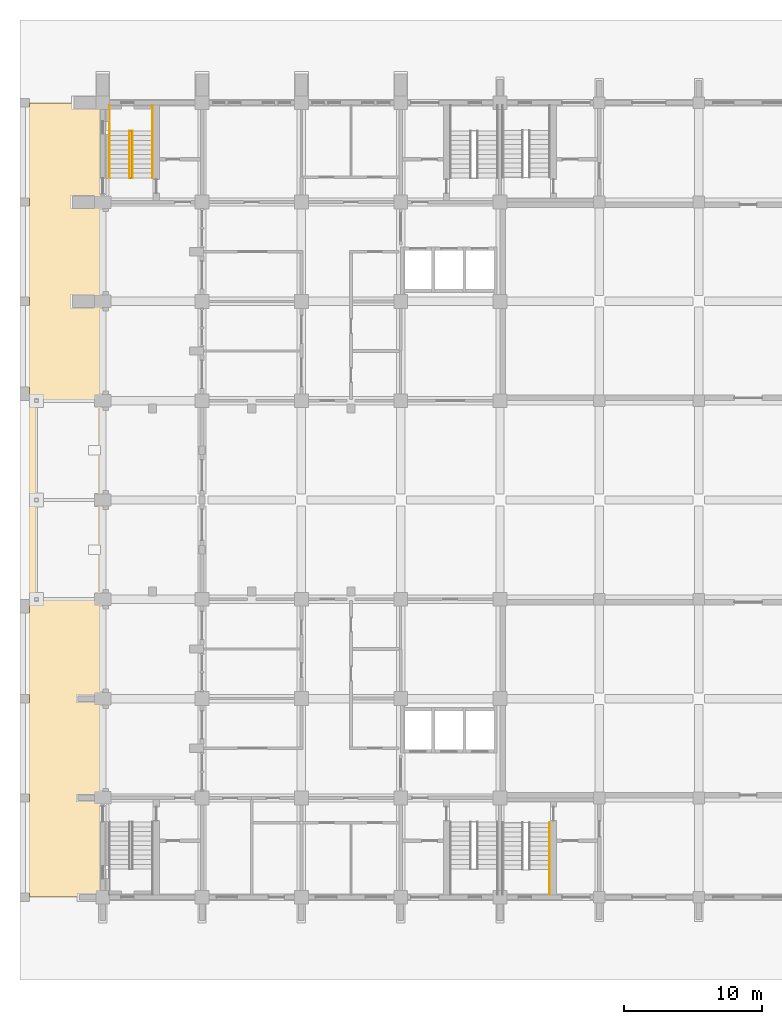
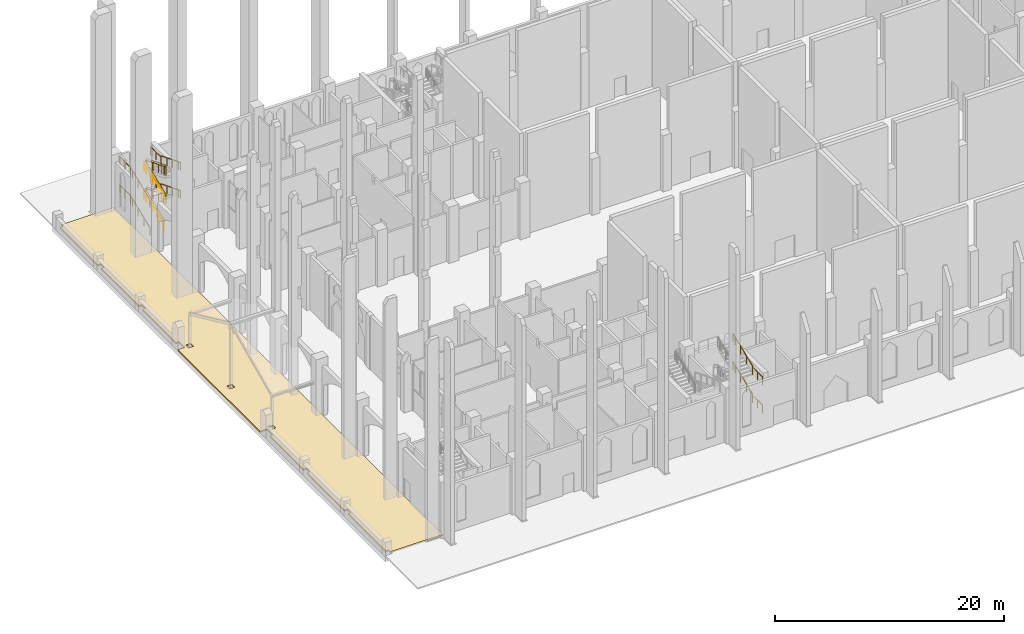
# One storey, part 45 of 50: 11 railings, 1 covering.
"""IFC4 building model written with IfcOpenShell, lengths in metres."""

from ifc_helpers import new_model, si_unit, direction, frame, origin, origin_2d, place, context, subcontext, project, spatial, polyline, circle, outline, extrude, material, layer, layer_set, type_object, element, save


model = new_model("IFC4")

# Units and contexts
model_context = context("Model", 3, precision=1e-05, world=origin(), true_north=direction((0.0, 1.0)))
body_context = subcontext(model_context, "Body", "Model", "MODEL_VIEW")
ifc_project = project(units=[si_unit("LENGTHUNIT", "METRE"), si_unit("AREAUNIT", "SQUARE_METRE"), si_unit("VOLUMEUNIT", "CUBIC_METRE"), si_unit("PLANEANGLEUNIT", "RADIAN"), si_unit("MASSUNIT", "GRAM", prefix="KILO")], contexts=[model_context])

# Site, building, storey
site_placement = place(None, origin())
site = spatial("IfcSite", under=ifc_project, at=site_placement, CompositionType="ELEMENT")
building_placement = place(site_placement, origin())
building = spatial("IfcBuilding", under=site, at=building_placement, Name="Silangan Lancet Faculty of Sciences", CompositionType="ELEMENT")
storey_placement = place(building_placement, origin())
storey = spatial("IfcBuildingStorey", under=building, at=storey_placement, Name="L00", CompositionType="ELEMENT", Elevation=0.0)

# Covering
ifc_material_1 = material(Name="Concrete C30/37", Category="concrete")
ifc_layer = layer(ifc_material_1, 0.14990234375)
ifc_layer_set = layer_set([ifc_layer], Name="Concrete C30/37")
covering_type = type_object("IfcCoveringType", Name="PAVING 150", PredefinedType="FLOORING", material=ifc_layer_set)
covering_placement = place(storey_placement, frame((0.0, 0.0, -0.14990234375)))
element("IfcCovering", 1, at=covering_placement, inside=storey, type_object=covering_type, Name="Paving Forecourt", PredefinedType="FLOORING", context=body_context, shape_type="SweptSolid", body=[
    extrude(outline(polyline([(0.0, 57.60009765625), (-5.300048828125, 57.60009765625), (-5.300048828125, 57.300048828125), (-5.60009765625, 57.300048828125), (-5.60009765625, 50.699951171875), (-5.300048828125, 50.699951171875), (-5.300048828125, 50.10009765625), (-5.60009765625, 50.10009765625), (-5.60009765625, 43.5), (-5.300048828125, 43.5), (-5.300048828125, 42.89990234375), (-5.60009765625, 42.89990234375), (-5.60009765625, 37.0), (-5.300048828125, 37.0), (-5.300048828125, 36.0), (-6.0, 36.0), (-6.0, 21.60009765625), (-5.300048828125, 21.60009765625), (-5.300048828125, 20.60009765625), (-5.60009765625, 20.60009765625), (-5.60009765625, 14.699951171875), (-5.300048828125, 14.699951171875), (-5.300048828125, 14.10009765625), (-5.60009765625, 14.10009765625), (-5.60009765625, 7.5), (-5.300048828125, 7.5), (-5.300048828125, 6.89990234375), (-5.60009765625, 6.89990234375), (-5.60009765625, 0.300048828125), (-5.300048828125, 0.300048828125), (-5.300048828125, 0.0), (0.0, 0.0), (0.0, 57.60009765625)]), holes=[polyline([(-4.550048828125, 21.35009765625), (-5.050048828125, 21.35009765625), (-5.050048828125, 21.85009765625), (-4.550048828125, 21.85009765625), (-4.550048828125, 21.35009765625)]), polyline([(-4.550048828125, 28.550048828125), (-5.050048828125, 28.550048828125), (-5.050048828125, 29.050048828125), (-4.550048828125, 29.050048828125), (-4.550048828125, 28.550048828125)]), polyline([(-4.550048828125, 35.75), (-5.050048828125, 35.75), (-5.050048828125, 36.25), (-4.550048828125, 36.25), (-4.550048828125, 35.75)])]), origin(), (0.0, 0.0, 1.0), 0.14990234375),
])

# Railings
ifc_material_2 = material(Name="Steel balustrade", Category="steel")
railing_type_1 = type_object("IfcRailingType", Name="STAIR GUARD 1100", PredefinedType="GUARDRAIL", material=ifc_material_2)
railing_1_placement = place(storey_placement, frame((2.0, 52.14990234375, 0.136474609375)))
element("IfcRailing", 2, at=railing_1_placement, inside=storey, type_object=railing_type_1, Name="GUARD-NT-A-L00", PredefinedType="GUARDRAIL", context=body_context, shape_type="SweptSolid", body=[
    extrude(circle(Radius=0.02392578125, at=origin_2d()), frame((0.0, 0.0, 1.076171875), z_axis=(0.0, 0.928154623156, 0.372194835421), x_axis=(-1.0, 0.0, 0.0)), (0.0, 0.0, 1.0), 1.46533203125),
    extrude(circle(Radius=0.02392578125, at=origin_2d()), frame((0.0, 1.360107421875, 1.62158203125), z_axis=(0.0, 0.928154623156, 0.372194835421), x_axis=(-1.0, 0.0, 0.0)), (0.0, 0.0, 1.0), 1.46533203125),
    extrude(circle(Radius=0.02392578125, at=origin_2d()), frame((0.0, 2.72021484375, 2.1669921875), z_axis=(0.0, 0.928131538224, 0.372252397916), x_axis=(-1.0, 0.0, 0.0)), (0.0, 0.0, 1.0), 0.732666015625),
    extrude(circle(Radius=0.02392578125, at=origin_2d()), frame((0.0, 3.400146484375, 2.439453125), z_axis=(1.0, 0.0, 0.0), x_axis=(0.0, 1.0, 0.0)), (0.0, 0.0, 1.0), 0.10009765625),
    extrude(circle(Radius=0.02392578125, at=origin_2d()), frame((0.10009765625, 3.400146484375, 2.439453125), z_axis=(0.0, 0.0, 1.0), x_axis=(1.0, 0.0, 0.0)), (0.0, 0.0, 1.0), 0.136474609375),
    extrude(circle(Radius=0.02392578125, at=origin_2d()), frame((0.10009765625, 3.400146484375, 2.576171875), z_axis=(0.0, -0.928154623156, 0.372194835421), x_axis=(1.0, 0.0, 0.0)), (0.0, 0.0, 1.0), 1.46533203125),
    extrude(circle(Radius=0.02392578125, at=origin_2d()), frame((0.10009765625, 2.0400390625, 3.12158203125), z_axis=(0.0, -0.928131538224, 0.372252397916), x_axis=(1.0, 0.0, 0.0)), (0.0, 0.0, 1.0), 1.465087890625),
    extrude(circle(Radius=0.02392578125, at=origin_2d()), frame((0.10009765625, 0.68017578125, 3.6669921875), z_axis=(0.0, -0.928177697381, 0.372137289295), x_axis=(1.0, 0.0, 0.0)), (0.0, 0.0, 1.0), 0.73291015625),
    extrude(circle(Radius=0.02392578125, at=origin_2d()), frame((0.10009765625, 0.0, 3.939453125), z_axis=(-1.0, 0.0, 0.0), x_axis=(0.0, -1.0, 0.0)), (0.0, 0.0, 1.0), 0.10009765625),
    extrude(circle(Radius=0.02392578125, at=origin_2d()), frame((0.0, 0.0, 3.939453125), z_axis=(0.0, 0.0, 1.0), x_axis=(1.0, 0.0, 0.0)), (0.0, 0.0, 1.0), 0.136474609375),
    extrude(circle(Radius=0.02392578125, at=origin_2d()), frame((0.0, 0.0, 4.076171875), z_axis=(0.0, 0.928154623156, 0.372194835421), x_axis=(-1.0, 0.0, 0.0)), (0.0, 0.0, 1.0), 1.46533203125),
    extrude(circle(Radius=0.02392578125, at=origin_2d()), frame((0.0, 1.360107421875, 4.62158203125), z_axis=(0.0, 0.928154623156, 0.372194835421), x_axis=(-1.0, 0.0, 0.0)), (0.0, 0.0, 1.0), 1.46533203125),
    extrude(circle(Radius=0.02392578125, at=origin_2d()), frame((0.0, 2.72021484375, 5.1669921875), z_axis=(0.0, 0.928131538224, 0.372252397916), x_axis=(-1.0, 0.0, 0.0)), (0.0, 0.0, 1.0), 0.732666015625),
    extrude(circle(Radius=0.02392578125, at=origin_2d()), frame((0.0, 3.400146484375, 5.439453125), z_axis=(1.0, 0.0, 0.0), x_axis=(0.0, 1.0, 0.0)), (0.0, 0.0, 1.0), 0.10009765625),
    extrude(circle(Radius=0.02392578125, at=origin_2d()), frame((0.10009765625, 3.400146484375, 5.439453125), z_axis=(0.0, 0.0, 1.0), x_axis=(1.0, 0.0, 0.0)), (0.0, 0.0, 1.0), 0.136474609375),
    extrude(circle(Radius=0.02392578125, at=origin_2d()), frame((0.10009765625, 3.400146484375, 5.576171875), z_axis=(0.0, -0.928154623156, 0.372194835421), x_axis=(1.0, 0.0, 0.0)), (0.0, 0.0, 1.0), 1.46533203125),
    extrude(circle(Radius=0.02392578125, at=origin_2d()), frame((0.10009765625, 2.0400390625, 6.12158203125), z_axis=(0.0, -0.928131538224, 0.372252397916), x_axis=(1.0, 0.0, 0.0)), (0.0, 0.0, 1.0), 1.465087890625),
    extrude(circle(Radius=0.02392578125, at=origin_2d()), frame((0.10009765625, 0.68017578125, 6.6669921875), z_axis=(0.0, -0.928177697381, 0.372137289295), x_axis=(1.0, 0.0, 0.0)), (0.0, 0.0, 1.0), 0.73291015625),
    extrude(circle(Radius=0.02392578125, at=origin_2d()), frame((0.10009765625, 0.0, 6.939453125), z_axis=(-1.0, 0.0, 0.0), x_axis=(0.0, -1.0, 0.0)), (0.0, 0.0, 1.0), 0.10009765625),
    extrude(circle(Radius=0.02099609375, at=origin_2d()), origin(), (0.0, 0.0, 1.0), 1.052001953125),
    extrude(circle(Radius=0.02099609375, at=origin_2d()), frame((0.0, 1.360107421875, 0.54541015625)), (0.0, 0.0, 1.0), 1.052001953125),
    extrude(circle(Radius=0.02099609375, at=origin_2d()), frame((0.0, 2.72021484375, 1.0908203125)), (0.0, 0.0, 1.0), 1.052001953125),
    extrude(circle(Radius=0.02099609375, at=origin_2d()), frame((0.0, 3.400146484375, 1.363525390625)), (0.0, 0.0, 1.0), 1.052001953125),
    extrude(circle(Radius=0.02099609375, at=origin_2d()), frame((0.10009765625, 3.400146484375, 1.363525390625)), (0.0, 0.0, 1.0), 1.052001953125),
    extrude(circle(Radius=0.02099609375, at=origin_2d()), frame((0.10009765625, 3.400146484375, 1.5)), (0.0, 0.0, 1.0), 1.052001953125),
    extrude(circle(Radius=0.02099609375, at=origin_2d()), frame((0.10009765625, 2.0400390625, 2.04541015625)), (0.0, 0.0, 1.0), 1.052001953125),
    extrude(circle(Radius=0.02099609375, at=origin_2d()), frame((0.10009765625, 0.68017578125, 2.5908203125)), (0.0, 0.0, 1.0), 1.052001953125),
    extrude(circle(Radius=0.02099609375, at=origin_2d()), frame((0.10009765625, 0.0, 2.863525390625)), (0.0, 0.0, 1.0), 1.052001953125),
    extrude(circle(Radius=0.02099609375, at=origin_2d()), frame((0.0, 0.0, 2.863525390625)), (0.0, 0.0, 1.0), 1.052001953125),
    extrude(circle(Radius=0.02099609375, at=origin_2d()), frame((0.0, 0.0, 3.0)), (0.0, 0.0, 1.0), 1.052001953125),
    extrude(circle(Radius=0.02099609375, at=origin_2d()), frame((0.0, 1.360107421875, 3.54541015625)), (0.0, 0.0, 1.0), 1.052001953125),
    extrude(circle(Radius=0.02099609375, at=origin_2d()), frame((0.0, 2.72021484375, 4.0908203125)), (0.0, 0.0, 1.0), 1.052001953125),
    extrude(circle(Radius=0.02099609375, at=origin_2d()), frame((0.0, 3.400146484375, 4.363525390625)), (0.0, 0.0, 1.0), 1.052001953125),
    extrude(circle(Radius=0.02099609375, at=origin_2d()), frame((0.10009765625, 3.400146484375, 4.363525390625)), (0.0, 0.0, 1.0), 1.052001953125),
    extrude(circle(Radius=0.02099609375, at=origin_2d()), frame((0.10009765625, 3.400146484375, 4.5)), (0.0, 0.0, 1.0), 1.052001953125),
    extrude(circle(Radius=0.02099609375, at=origin_2d()), frame((0.10009765625, 2.0400390625, 5.04541015625)), (0.0, 0.0, 1.0), 1.052001953125),
    extrude(circle(Radius=0.02099609375, at=origin_2d()), frame((0.10009765625, 0.68017578125, 5.5908203125)), (0.0, 0.0, 1.0), 1.052001953125),
    extrude(circle(Radius=0.02099609375, at=origin_2d()), frame((0.10009765625, 0.0, 5.863525390625)), (0.0, 0.0, 1.0), 1.052001953125),
    extrude(circle(Radius=0.02099609375, at=origin_2d()), frame((0.0, 0.0, 5.863525390625)), (0.0, 0.0, 1.0), 1.052001953125),
])
ifc_material_3 = material(Name="Stainless steel", Category="steel")
railing_type_2 = type_object("IfcRailingType", Name="STAIR HANDRAIL 865", PredefinedType="HANDRAIL", material=ifc_material_3)
railing_2_placement = place(storey_placement, frame((0.5, 52.14990234375, 0.136474609375)))
element("IfcRailing", 3, at=railing_2_placement, inside=storey, type_object=railing_type_2, Name="HANDRAIL-NT-A-L00-O1", PredefinedType="HANDRAIL", context=body_context, shape_type="SweptSolid", body=[
    extrude(circle(Radius=0.02392578125, at=origin_2d()), frame((0.0, 0.0, 0.8408203125), z_axis=(0.0, 0.9281852992, 0.372118328425), x_axis=(-1.0, 0.0, 0.0)), (0.0, 0.0, 1.0), 1.098876953125),
    extrude(circle(Radius=0.02392578125, at=origin_2d()), frame((0.0, 1.02001953125, 1.25), z_axis=(0.0, 0.928108552846, 0.372309701908), x_axis=(-1.0, 0.0, 0.0)), (0.0, 0.0, 1.0), 1.09912109375),
    extrude(circle(Radius=0.02392578125, at=origin_2d()), frame((0.0, 2.0400390625, 1.6591796875), z_axis=(0.0, 0.9281852992, 0.372118328425), x_axis=(-1.0, 0.0, 0.0)), (0.0, 0.0, 1.0), 1.098876953125),
    extrude(circle(Radius=0.02392578125, at=origin_2d()), frame((0.0, 3.06005859375, 2.06787109375), z_axis=(0.0, 0.928062591398, 0.372424255988), x_axis=(-1.0, 0.0, 0.0)), (0.0, 0.0, 1.0), 0.366455078125),
    extrude(circle(Radius=0.02392578125, at=origin_2d()), frame((0.0, 3.400146484375, 2.20458984375), z_axis=(0.0, 1.0, 0.0), x_axis=(-1.0, 0.0, 0.0)), (0.0, 0.0, 1.0), 1.849853515625),
    extrude(circle(Radius=0.02099609375, at=origin_2d()), origin(), (0.0, 0.0, 1.0), 0.81689453125),
    extrude(circle(Radius=0.02099609375, at=origin_2d()), frame((0.0, 1.02001953125, 0.408935546875)), (0.0, 0.0, 1.0), 0.81689453125),
    extrude(circle(Radius=0.02099609375, at=origin_2d()), frame((0.0, 2.0400390625, 0.818115234375)), (0.0, 0.0, 1.0), 0.81689453125),
    extrude(circle(Radius=0.02099609375, at=origin_2d()), frame((0.0, 3.06005859375, 1.22705078125)), (0.0, 0.0, 1.0), 0.81689453125),
    extrude(circle(Radius=0.02099609375, at=origin_2d()), frame((0.0, 3.400146484375, 1.363525390625)), (0.0, 0.0, 1.0), 0.81689453125),
    extrude(circle(Radius=0.02099609375, at=origin_2d()), frame((0.0, 4.3251953125, 1.363525390625)), (0.0, 0.0, 1.0), 0.81689453125),
    extrude(circle(Radius=0.02099609375, at=origin_2d()), frame((0.0, 5.25, 1.363525390625)), (0.0, 0.0, 1.0), 0.81689453125),
])
railing_3_placement = place(storey_placement, frame((1.949951171875, 52.14990234375, 0.136474609375)))
element("IfcRailing", 4, at=railing_3_placement, inside=storey, type_object=railing_type_2, Name="HANDRAIL-NT-A-L00-I1", PredefinedType="HANDRAIL", context=body_context, shape_type="SweptSolid", body=[
    extrude(circle(Radius=0.02392578125, at=origin_2d()), frame((0.0, 0.0, 0.8408203125), z_axis=(0.0, 0.9281852992, 0.372118328425), x_axis=(-1.0, 0.0, 0.0)), (0.0, 0.0, 1.0), 1.098876953125),
    extrude(circle(Radius=0.02392578125, at=origin_2d()), frame((0.0, 1.02001953125, 1.25), z_axis=(0.0, 0.928108552846, 0.372309701908), x_axis=(-1.0, 0.0, 0.0)), (0.0, 0.0, 1.0), 1.09912109375),
    extrude(circle(Radius=0.02392578125, at=origin_2d()), frame((0.0, 2.0400390625, 1.6591796875), z_axis=(0.0, 0.9281852992, 0.372118328425), x_axis=(-1.0, 0.0, 0.0)), (0.0, 0.0, 1.0), 1.098876953125),
    extrude(circle(Radius=0.02392578125, at=origin_2d()), frame((0.0, 3.06005859375, 2.06787109375), z_axis=(0.0, 0.928062591398, 0.372424255988), x_axis=(-1.0, 0.0, 0.0)), (0.0, 0.0, 1.0), 0.366455078125),
    extrude(circle(Radius=0.02099609375, at=origin_2d()), origin(), (0.0, 0.0, 1.0), 0.81689453125),
    extrude(circle(Radius=0.02099609375, at=origin_2d()), frame((0.0, 1.02001953125, 0.408935546875)), (0.0, 0.0, 1.0), 0.81689453125),
    extrude(circle(Radius=0.02099609375, at=origin_2d()), frame((0.0, 2.0400390625, 0.818115234375)), (0.0, 0.0, 1.0), 0.81689453125),
    extrude(circle(Radius=0.02099609375, at=origin_2d()), frame((0.0, 3.06005859375, 1.22705078125)), (0.0, 0.0, 1.0), 0.81689453125),
    extrude(circle(Radius=0.02099609375, at=origin_2d()), frame((0.0, 3.400146484375, 1.363525390625)), (0.0, 0.0, 1.0), 0.81689453125),
])
railing_4_placement = place(storey_placement, frame((3.60009765625, 57.39990234375, 1.5)))
element("IfcRailing", 5, at=railing_4_placement, inside=storey, type_object=railing_type_2, Name="HANDRAIL-NT-A-L00-O2", PredefinedType="HANDRAIL", context=body_context, shape_type="SweptSolid", body=[
    extrude(circle(Radius=0.02392578125, at=origin_2d()), frame((0.0, 0.0, 0.8408203125), z_axis=(0.0, -1.0, 0.0), x_axis=(1.0, 0.0, 0.0)), (0.0, 0.0, 1.0), 1.849853515625),
    extrude(circle(Radius=0.02392578125, at=origin_2d()), frame((0.0, -1.849853515625, 0.8408203125), z_axis=(0.0, 0.0, 1.0), x_axis=(1.0, 0.0, 0.0)), (0.0, 0.0, 1.0), 0.136474609375),
    extrude(circle(Radius=0.02392578125, at=origin_2d()), frame((0.0, -1.849853515625, 0.9775390625), z_axis=(0.0, -0.9281852992, 0.372118328425), x_axis=(1.0, 0.0, 0.0)), (0.0, 0.0, 1.0), 1.098876953125),
    extrude(circle(Radius=0.02392578125, at=origin_2d()), frame((0.0, -2.869873046875, 1.38623046875), z_axis=(0.0, -0.928108552846, 0.372309701908), x_axis=(1.0, 0.0, 0.0)), (0.0, 0.0, 1.0), 1.09912109375),
    extrude(circle(Radius=0.02392578125, at=origin_2d()), frame((0.0, -3.889892578125, 1.79541015625), z_axis=(0.0, -0.9281852992, 0.372118328425), x_axis=(1.0, 0.0, 0.0)), (0.0, 0.0, 1.0), 1.098876953125),
    extrude(circle(Radius=0.02392578125, at=origin_2d()), frame((0.0, -4.909912109375, 2.20458984375), z_axis=(0.0, -0.928062591398, 0.372424255988), x_axis=(1.0, 0.0, 0.0)), (0.0, 0.0, 1.0), 0.366455078125),
    extrude(circle(Radius=0.02099609375, at=origin_2d()), origin(), (0.0, 0.0, 1.0), 0.81689453125),
    extrude(circle(Radius=0.02099609375, at=origin_2d()), frame((0.0, -0.9248046875, 0.0)), (0.0, 0.0, 1.0), 0.81689453125),
    extrude(circle(Radius=0.02099609375, at=origin_2d()), frame((0.0, -1.849853515625, 0.0)), (0.0, 0.0, 1.0), 0.81689453125),
    extrude(circle(Radius=0.02099609375, at=origin_2d()), frame((0.0, -1.849853515625, 0.136474609375)), (0.0, 0.0, 1.0), 0.81689453125),
    extrude(circle(Radius=0.02099609375, at=origin_2d()), frame((0.0, -2.869873046875, 0.54541015625)), (0.0, 0.0, 1.0), 0.81689453125),
    extrude(circle(Radius=0.02099609375, at=origin_2d()), frame((0.0, -3.889892578125, 0.95458984375)), (0.0, 0.0, 1.0), 0.81689453125),
    extrude(circle(Radius=0.02099609375, at=origin_2d()), frame((0.0, -4.909912109375, 1.363525390625)), (0.0, 0.0, 1.0), 0.81689453125),
    extrude(circle(Radius=0.02099609375, at=origin_2d()), frame((0.0, -5.25, 1.5)), (0.0, 0.0, 1.0), 0.81689453125),
])
railing_5_placement = place(storey_placement, frame((2.14990234375, 55.550048828125, 1.636474609375)))
element("IfcRailing", 6, at=railing_5_placement, inside=storey, type_object=railing_type_2, Name="HANDRAIL-NT-A-L00-I2", PredefinedType="HANDRAIL", context=body_context, shape_type="SweptSolid", body=[
    extrude(circle(Radius=0.02392578125, at=origin_2d()), frame((0.0, 0.0, 0.8408203125), z_axis=(0.0, -0.9281852992, 0.372118328425), x_axis=(1.0, 0.0, 0.0)), (0.0, 0.0, 1.0), 1.098876953125),
    extrude(circle(Radius=0.02392578125, at=origin_2d()), frame((0.0, -1.02001953125, 1.25), z_axis=(0.0, -0.928108552846, 0.372309701908), x_axis=(1.0, 0.0, 0.0)), (0.0, 0.0, 1.0), 1.09912109375),
    extrude(circle(Radius=0.02392578125, at=origin_2d()), frame((0.0, -2.0400390625, 1.6591796875), z_axis=(0.0, -0.9281852992, 0.372118328425), x_axis=(1.0, 0.0, 0.0)), (0.0, 0.0, 1.0), 1.098876953125),
    extrude(circle(Radius=0.02392578125, at=origin_2d()), frame((0.0, -3.06005859375, 2.06787109375), z_axis=(0.0, -0.928062591398, 0.372424255988), x_axis=(1.0, 0.0, 0.0)), (0.0, 0.0, 1.0), 0.366455078125),
    extrude(circle(Radius=0.02099609375, at=origin_2d()), origin(), (0.0, 0.0, 1.0), 0.81689453125),
    extrude(circle(Radius=0.02099609375, at=origin_2d()), frame((0.0, -1.02001953125, 0.408935546875)), (0.0, 0.0, 1.0), 0.81689453125),
    extrude(circle(Radius=0.02099609375, at=origin_2d()), frame((0.0, -2.0400390625, 0.818115234375)), (0.0, 0.0, 1.0), 0.81689453125),
    extrude(circle(Radius=0.02099609375, at=origin_2d()), frame((0.0, -3.06005859375, 1.22705078125)), (0.0, 0.0, 1.0), 0.81689453125),
    extrude(circle(Radius=0.02099609375, at=origin_2d()), frame((0.0, -3.400146484375, 1.363525390625)), (0.0, 0.0, 1.0), 0.81689453125),
])
railing_6_placement = place(storey_placement, frame((0.5, 52.14990234375, 3.136474609375)))
element("IfcRailing", 7, at=railing_6_placement, inside=storey, type_object=railing_type_2, Name="HANDRAIL-NT-A-L00-O3", PredefinedType="HANDRAIL", context=body_context, shape_type="SweptSolid", body=[
    extrude(circle(Radius=0.02392578125, at=origin_2d()), frame((0.0, 0.0, 0.8408203125), z_axis=(0.0, 0.9281852992, 0.372118328425), x_axis=(-1.0, 0.0, 0.0)), (0.0, 0.0, 1.0), 1.098876953125),
    extrude(circle(Radius=0.02392578125, at=origin_2d()), frame((0.0, 1.02001953125, 1.25), z_axis=(0.0, 0.928108552846, 0.372309701908), x_axis=(-1.0, 0.0, 0.0)), (0.0, 0.0, 1.0), 1.09912109375),
    extrude(circle(Radius=0.02392578125, at=origin_2d()), frame((0.0, 2.0400390625, 1.6591796875), z_axis=(0.0, 0.9281852992, 0.372118328425), x_axis=(-1.0, 0.0, 0.0)), (0.0, 0.0, 1.0), 1.098876953125),
    extrude(circle(Radius=0.02392578125, at=origin_2d()), frame((0.0, 3.06005859375, 2.06787109375), z_axis=(0.0, 0.928062591398, 0.372424255988), x_axis=(-1.0, 0.0, 0.0)), (0.0, 0.0, 1.0), 0.366455078125),
    extrude(circle(Radius=0.02392578125, at=origin_2d()), frame((0.0, 3.400146484375, 2.20458984375), z_axis=(0.0, 1.0, 0.0), x_axis=(-1.0, 0.0, 0.0)), (0.0, 0.0, 1.0), 1.849853515625),
    extrude(circle(Radius=0.02099609375, at=origin_2d()), origin(), (0.0, 0.0, 1.0), 0.81689453125),
    extrude(circle(Radius=0.02099609375, at=origin_2d()), frame((0.0, 1.02001953125, 0.408935546875)), (0.0, 0.0, 1.0), 0.81689453125),
    extrude(circle(Radius=0.02099609375, at=origin_2d()), frame((0.0, 2.0400390625, 0.818115234375)), (0.0, 0.0, 1.0), 0.81689453125),
    extrude(circle(Radius=0.02099609375, at=origin_2d()), frame((0.0, 3.06005859375, 1.22705078125)), (0.0, 0.0, 1.0), 0.81689453125),
    extrude(circle(Radius=0.02099609375, at=origin_2d()), frame((0.0, 3.400146484375, 1.363525390625)), (0.0, 0.0, 1.0), 0.81689453125),
    extrude(circle(Radius=0.02099609375, at=origin_2d()), frame((0.0, 4.3251953125, 1.363525390625)), (0.0, 0.0, 1.0), 0.81689453125),
    extrude(circle(Radius=0.02099609375, at=origin_2d()), frame((0.0, 5.25, 1.363525390625)), (0.0, 0.0, 1.0), 0.81689453125),
])
railing_7_placement = place(storey_placement, frame((1.949951171875, 52.14990234375, 3.136474609375)))
element("IfcRailing", 8, at=railing_7_placement, inside=storey, type_object=railing_type_2, Name="HANDRAIL-NT-A-L00-I3", PredefinedType="HANDRAIL", context=body_context, shape_type="SweptSolid", body=[
    extrude(circle(Radius=0.02392578125, at=origin_2d()), frame((0.0, 0.0, 0.8408203125), z_axis=(0.0, 0.9281852992, 0.372118328425), x_axis=(-1.0, 0.0, 0.0)), (0.0, 0.0, 1.0), 1.098876953125),
    extrude(circle(Radius=0.02392578125, at=origin_2d()), frame((0.0, 1.02001953125, 1.25), z_axis=(0.0, 0.928108552846, 0.372309701908), x_axis=(-1.0, 0.0, 0.0)), (0.0, 0.0, 1.0), 1.09912109375),
    extrude(circle(Radius=0.02392578125, at=origin_2d()), frame((0.0, 2.0400390625, 1.6591796875), z_axis=(0.0, 0.9281852992, 0.372118328425), x_axis=(-1.0, 0.0, 0.0)), (0.0, 0.0, 1.0), 1.098876953125),
    extrude(circle(Radius=0.02392578125, at=origin_2d()), frame((0.0, 3.06005859375, 2.06787109375), z_axis=(0.0, 0.928062591398, 0.372424255988), x_axis=(-1.0, 0.0, 0.0)), (0.0, 0.0, 1.0), 0.366455078125),
    extrude(circle(Radius=0.02099609375, at=origin_2d()), origin(), (0.0, 0.0, 1.0), 0.81689453125),
    extrude(circle(Radius=0.02099609375, at=origin_2d()), frame((0.0, 1.02001953125, 0.408935546875)), (0.0, 0.0, 1.0), 0.81689453125),
    extrude(circle(Radius=0.02099609375, at=origin_2d()), frame((0.0, 2.0400390625, 0.818115234375)), (0.0, 0.0, 1.0), 0.81689453125),
    extrude(circle(Radius=0.02099609375, at=origin_2d()), frame((0.0, 3.06005859375, 1.22705078125)), (0.0, 0.0, 1.0), 0.81689453125),
    extrude(circle(Radius=0.02099609375, at=origin_2d()), frame((0.0, 3.400146484375, 1.363525390625)), (0.0, 0.0, 1.0), 0.81689453125),
])
railing_8_placement = place(storey_placement, frame((3.60009765625, 57.39990234375, 4.5)))
element("IfcRailing", 9, at=railing_8_placement, inside=storey, type_object=railing_type_2, Name="HANDRAIL-NT-A-L00-O4", PredefinedType="HANDRAIL", context=body_context, shape_type="SweptSolid", body=[
    extrude(circle(Radius=0.02392578125, at=origin_2d()), frame((0.0, 0.0, 0.8408203125), z_axis=(0.0, -1.0, 0.0), x_axis=(1.0, 0.0, 0.0)), (0.0, 0.0, 1.0), 1.849853515625),
    extrude(circle(Radius=0.02392578125, at=origin_2d()), frame((0.0, -1.849853515625, 0.8408203125), z_axis=(0.0, 0.0, 1.0), x_axis=(1.0, 0.0, 0.0)), (0.0, 0.0, 1.0), 0.136474609375),
    extrude(circle(Radius=0.02392578125, at=origin_2d()), frame((0.0, -1.849853515625, 0.9775390625), z_axis=(0.0, -0.9281852992, 0.372118328425), x_axis=(1.0, 0.0, 0.0)), (0.0, 0.0, 1.0), 1.098876953125),
    extrude(circle(Radius=0.02392578125, at=origin_2d()), frame((0.0, -2.869873046875, 1.38623046875), z_axis=(0.0, -0.928108552846, 0.372309701908), x_axis=(1.0, 0.0, 0.0)), (0.0, 0.0, 1.0), 1.09912109375),
    extrude(circle(Radius=0.02392578125, at=origin_2d()), frame((0.0, -3.889892578125, 1.79541015625), z_axis=(0.0, -0.9281852992, 0.372118328425), x_axis=(1.0, 0.0, 0.0)), (0.0, 0.0, 1.0), 1.098876953125),
    extrude(circle(Radius=0.02392578125, at=origin_2d()), frame((0.0, -4.909912109375, 2.20458984375), z_axis=(0.0, -0.928062591398, 0.372424255988), x_axis=(1.0, 0.0, 0.0)), (0.0, 0.0, 1.0), 0.366455078125),
    extrude(circle(Radius=0.02099609375, at=origin_2d()), origin(), (0.0, 0.0, 1.0), 0.81689453125),
    extrude(circle(Radius=0.02099609375, at=origin_2d()), frame((0.0, -0.9248046875, 0.0)), (0.0, 0.0, 1.0), 0.81689453125),
    extrude(circle(Radius=0.02099609375, at=origin_2d()), frame((0.0, -1.849853515625, 0.0)), (0.0, 0.0, 1.0), 0.81689453125),
    extrude(circle(Radius=0.02099609375, at=origin_2d()), frame((0.0, -1.849853515625, 0.136474609375)), (0.0, 0.0, 1.0), 0.81689453125),
    extrude(circle(Radius=0.02099609375, at=origin_2d()), frame((0.0, -2.869873046875, 0.54541015625)), (0.0, 0.0, 1.0), 0.81689453125),
    extrude(circle(Radius=0.02099609375, at=origin_2d()), frame((0.0, -3.889892578125, 0.95458984375)), (0.0, 0.0, 1.0), 0.81689453125),
    extrude(circle(Radius=0.02099609375, at=origin_2d()), frame((0.0, -4.909912109375, 1.363525390625)), (0.0, 0.0, 1.0), 0.81689453125),
    extrude(circle(Radius=0.02099609375, at=origin_2d()), frame((0.0, -5.25, 1.5)), (0.0, 0.0, 1.0), 0.81689453125),
])
railing_9_placement = place(storey_placement, frame((2.14990234375, 55.550048828125, 4.636474609375)))
element("IfcRailing", 10, at=railing_9_placement, inside=storey, type_object=railing_type_2, Name="HANDRAIL-NT-A-L00-I4", PredefinedType="HANDRAIL", context=body_context, shape_type="SweptSolid", body=[
    extrude(circle(Radius=0.02392578125, at=origin_2d()), frame((0.0, 0.0, 0.8408203125), z_axis=(0.0, -0.9281852992, 0.372118328425), x_axis=(1.0, 0.0, 0.0)), (0.0, 0.0, 1.0), 1.098876953125),
    extrude(circle(Radius=0.02392578125, at=origin_2d()), frame((0.0, -1.02001953125, 1.25), z_axis=(0.0, -0.928108552846, 0.372309701908), x_axis=(1.0, 0.0, 0.0)), (0.0, 0.0, 1.0), 1.09912109375),
    extrude(circle(Radius=0.02392578125, at=origin_2d()), frame((0.0, -2.0400390625, 1.6591796875), z_axis=(0.0, -0.9281852992, 0.372118328425), x_axis=(1.0, 0.0, 0.0)), (0.0, 0.0, 1.0), 1.098876953125),
    extrude(circle(Radius=0.02392578125, at=origin_2d()), frame((0.0, -3.06005859375, 2.06787109375), z_axis=(0.0, -0.928062591398, 0.372424255988), x_axis=(1.0, 0.0, 0.0)), (0.0, 0.0, 1.0), 0.366455078125),
    extrude(circle(Radius=0.02099609375, at=origin_2d()), origin(), (0.0, 0.0, 1.0), 0.81689453125),
    extrude(circle(Radius=0.02099609375, at=origin_2d()), frame((0.0, -1.02001953125, 0.408935546875)), (0.0, 0.0, 1.0), 0.81689453125),
    extrude(circle(Radius=0.02099609375, at=origin_2d()), frame((0.0, -2.0400390625, 0.818115234375)), (0.0, 0.0, 1.0), 0.81689453125),
    extrude(circle(Radius=0.02099609375, at=origin_2d()), frame((0.0, -3.06005859375, 1.22705078125)), (0.0, 0.0, 1.0), 0.81689453125),
    extrude(circle(Radius=0.02099609375, at=origin_2d()), frame((0.0, -3.400146484375, 1.363525390625)), (0.0, 0.0, 1.0), 0.81689453125),
])
railing_10_placement = place(storey_placement, frame((32.39990234375, 0.199951171875, 1.5)))
element("IfcRailing", 11, at=railing_10_placement, inside=storey, type_object=railing_type_2, Name="HANDRAIL-SAB-A-L00-O2", PredefinedType="HANDRAIL", context=body_context, shape_type="SweptSolid", body=[
    extrude(circle(Radius=0.02392578125, at=origin_2d()), frame((0.0, 0.0, 0.8408203125), z_axis=(0.0, 1.0, 0.0), x_axis=(-1.0, 0.0, 0.0)), (0.0, 0.0, 1.0), 1.800048828125),
    extrude(circle(Radius=0.02392578125, at=origin_2d()), frame((0.0, 1.800048828125, 0.8408203125), z_axis=(0.0, 0.0, 1.0), x_axis=(1.0, 0.0, 0.0)), (0.0, 0.0, 1.0), 0.136474609375),
    extrude(circle(Radius=0.02392578125, at=origin_2d()), frame((0.0, 1.800048828125, 0.9775390625), z_axis=(0.0, 0.9281852992, 0.372118328425), x_axis=(-1.0, 0.0, 0.0)), (0.0, 0.0, 1.0), 1.098876953125),
    extrude(circle(Radius=0.02392578125, at=origin_2d()), frame((0.0, 2.820068359375, 1.38623046875), z_axis=(0.0, 0.928108552846, 0.372309701908), x_axis=(-1.0, 0.0, 0.0)), (0.0, 0.0, 1.0), 1.09912109375),
    extrude(circle(Radius=0.02392578125, at=origin_2d()), frame((0.0, 3.840087890625, 1.79541015625), z_axis=(0.0, 0.9281852992, 0.372118328425), x_axis=(-1.0, 0.0, 0.0)), (0.0, 0.0, 1.0), 1.098876953125),
    extrude(circle(Radius=0.02392578125, at=origin_2d()), frame((0.0, 4.860107421875, 2.20458984375), z_axis=(0.0, 0.927970099223, 0.372654659099), x_axis=(-1.0, 0.0, 0.0)), (0.0, 0.0, 1.0), 0.3662109375),
    extrude(circle(Radius=0.02099609375, at=origin_2d()), origin(), (0.0, 0.0, 1.0), 0.81689453125),
    extrude(circle(Radius=0.02099609375, at=origin_2d()), frame((0.0, 0.89990234375, 0.0)), (0.0, 0.0, 1.0), 0.81689453125),
    extrude(circle(Radius=0.02099609375, at=origin_2d()), frame((0.0, 1.800048828125, 0.0)), (0.0, 0.0, 1.0), 0.81689453125),
    extrude(circle(Radius=0.02099609375, at=origin_2d()), frame((0.0, 1.800048828125, 0.136474609375)), (0.0, 0.0, 1.0), 0.81689453125),
    extrude(circle(Radius=0.02099609375, at=origin_2d()), frame((0.0, 2.820068359375, 0.54541015625)), (0.0, 0.0, 1.0), 0.81689453125),
    extrude(circle(Radius=0.02099609375, at=origin_2d()), frame((0.0, 3.840087890625, 0.95458984375)), (0.0, 0.0, 1.0), 0.81689453125),
    extrude(circle(Radius=0.02099609375, at=origin_2d()), frame((0.0, 4.860107421875, 1.363525390625)), (0.0, 0.0, 1.0), 0.81689453125),
    extrude(circle(Radius=0.02099609375, at=origin_2d()), frame((0.0, 5.199951171875, 1.5)), (0.0, 0.0, 1.0), 0.81689453125),
])
railing_11_placement = place(storey_placement, frame((32.39990234375, 0.199951171875, 4.5)))
element("IfcRailing", 12, at=railing_11_placement, inside=storey, type_object=railing_type_2, Name="HANDRAIL-SAB-A-L00-O4", PredefinedType="HANDRAIL", context=body_context, shape_type="SweptSolid", body=[
    extrude(circle(Radius=0.02392578125, at=origin_2d()), frame((0.0, 0.0, 0.8408203125), z_axis=(0.0, 1.0, 0.0), x_axis=(-1.0, 0.0, 0.0)), (0.0, 0.0, 1.0), 1.800048828125),
    extrude(circle(Radius=0.02392578125, at=origin_2d()), frame((0.0, 1.800048828125, 0.8408203125), z_axis=(0.0, 0.0, 1.0), x_axis=(1.0, 0.0, 0.0)), (0.0, 0.0, 1.0), 0.136474609375),
    extrude(circle(Radius=0.02392578125, at=origin_2d()), frame((0.0, 1.800048828125, 0.9775390625), z_axis=(0.0, 0.9281852992, 0.372118328425), x_axis=(-1.0, 0.0, 0.0)), (0.0, 0.0, 1.0), 1.098876953125),
    extrude(circle(Radius=0.02392578125, at=origin_2d()), frame((0.0, 2.820068359375, 1.38623046875), z_axis=(0.0, 0.928108552846, 0.372309701908), x_axis=(-1.0, 0.0, 0.0)), (0.0, 0.0, 1.0), 1.09912109375),
    extrude(circle(Radius=0.02392578125, at=origin_2d()), frame((0.0, 3.840087890625, 1.79541015625), z_axis=(0.0, 0.9281852992, 0.372118328425), x_axis=(-1.0, 0.0, 0.0)), (0.0, 0.0, 1.0), 1.098876953125),
    extrude(circle(Radius=0.02392578125, at=origin_2d()), frame((0.0, 4.860107421875, 2.20458984375), z_axis=(0.0, 0.927970099223, 0.372654659099), x_axis=(-1.0, 0.0, 0.0)), (0.0, 0.0, 1.0), 0.3662109375),
    extrude(circle(Radius=0.02099609375, at=origin_2d()), origin(), (0.0, 0.0, 1.0), 0.81689453125),
    extrude(circle(Radius=0.02099609375, at=origin_2d()), frame((0.0, 0.89990234375, 0.0)), (0.0, 0.0, 1.0), 0.81689453125),
    extrude(circle(Radius=0.02099609375, at=origin_2d()), frame((0.0, 1.800048828125, 0.0)), (0.0, 0.0, 1.0), 0.81689453125),
    extrude(circle(Radius=0.02099609375, at=origin_2d()), frame((0.0, 1.800048828125, 0.136474609375)), (0.0, 0.0, 1.0), 0.81689453125),
    extrude(circle(Radius=0.02099609375, at=origin_2d()), frame((0.0, 2.820068359375, 0.54541015625)), (0.0, 0.0, 1.0), 0.81689453125),
    extrude(circle(Radius=0.02099609375, at=origin_2d()), frame((0.0, 3.840087890625, 0.95458984375)), (0.0, 0.0, 1.0), 0.81689453125),
    extrude(circle(Radius=0.02099609375, at=origin_2d()), frame((0.0, 4.860107421875, 1.363525390625)), (0.0, 0.0, 1.0), 0.81689453125),
    extrude(circle(Radius=0.02099609375, at=origin_2d()), frame((0.0, 5.199951171875, 1.5)), (0.0, 0.0, 1.0), 0.81689453125),
])

save(model, "model.ifc")
